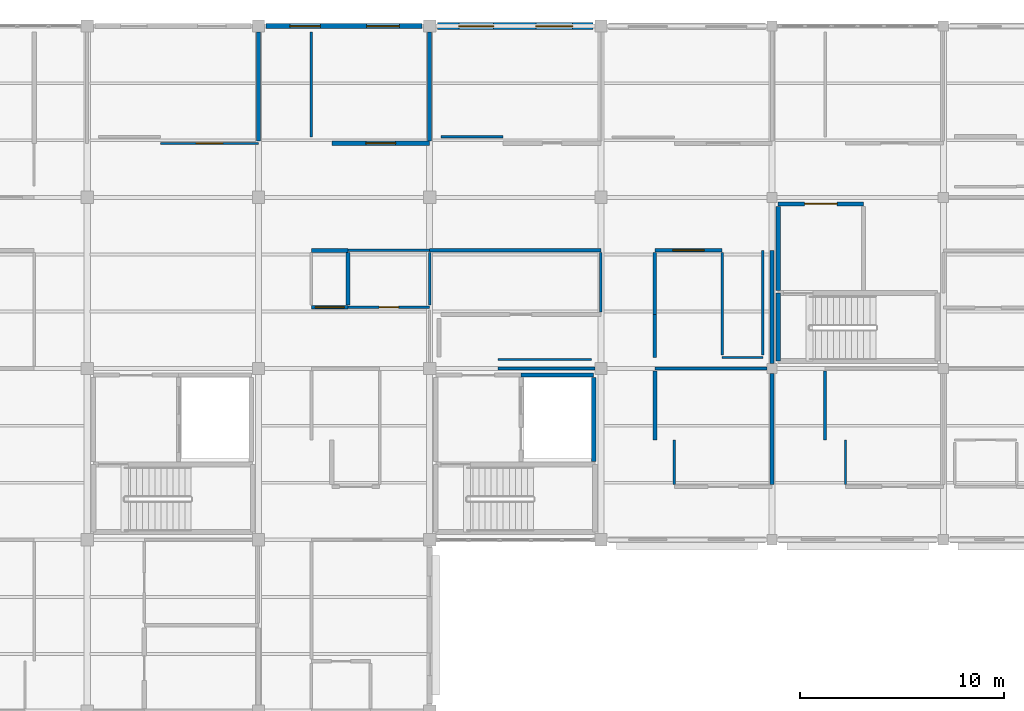
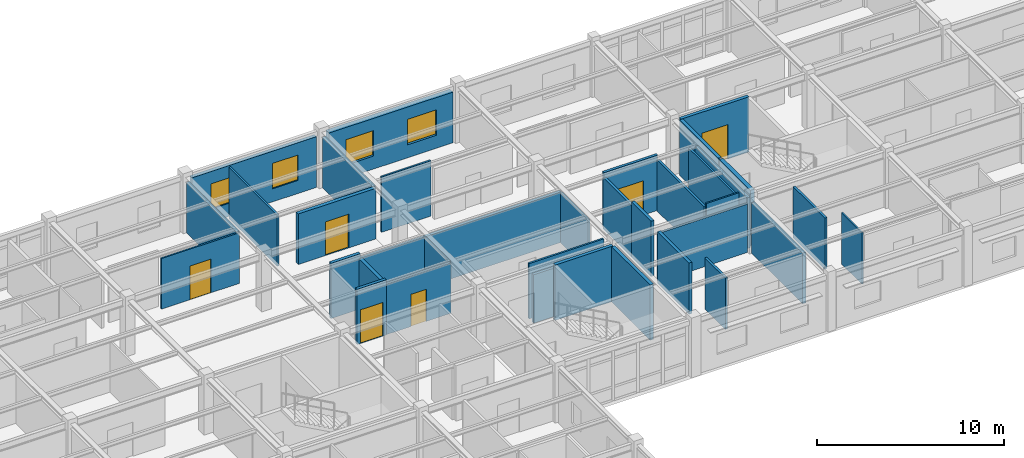
# One storey, part 57 of 70: 36 walls, 6 doors, 4 windows, 10 openings.
"""IFC4 building model written with IfcOpenShell, lengths in metres."""

import ifcopenshell
import ifcopenshell.guid

model = None  # the IFC model being written
_history = None  # IfcOwnerHistory: only IFC2X3 demands one
_inside = {}  # id of a spatial element -> (the spatial element, [elements in it])
_under = {}  # id of a project, library or spatial element -> (it, [spatial elements below it])
_declared = {}  # id of a project -> (the project, [libraries it declares])
_typed = {}  # id of a type object -> (the type object, [elements of that type])
_made_of = {}  # id of a material, layer set ... -> (it, [elements and type objects made of it])


def new_model(schema):
    """Start an empty IFC model of exactly this schema.

    Asked for "IFC4X3", IfcOpenShell would pick the latest addendum, in which some entities
    have other attributes; the version numbers below select the first issue.
    IFC2X3 requires an IfcOwnerHistory on every rooted entity: one is made here for all.
    """
    global model, _history
    if schema == "IFC4X3":
        model = ifcopenshell.file(schema_version=(4, 3, 0, 0))
    else:
        model = ifcopenshell.file(schema=schema)
    _inside.clear()
    _under.clear()
    _declared.clear()
    _typed.clear()
    _made_of.clear()
    _history = None
    if model.schema == "IFC2X3":
        org = make("IfcOrganization", Name="unknown")
        user = make(
            "IfcPersonAndOrganization",
            ThePerson=make("IfcPerson", FamilyName="unknown"),
            TheOrganization=org,
        )
        app = make(
            "IfcApplication",
            ApplicationDeveloper=org,
            Version="unknown",
            ApplicationFullName="unknown",
            ApplicationIdentifier="unknown",
        )
        _history = make(
            "IfcOwnerHistory",
            OwningUser=user,
            OwningApplication=app,
            ChangeAction="ADDED",
            CreationDate=0,
        )
    return model


def make(cls, **values):
    """One entity of the class cls with the attributes given. An attribute that is None is left unset."""
    return model.create_entity(
        cls, **{name: value for name, value in values.items() if value is not None}
    )


def rooted(cls, **values):
    """An entity with a GlobalId (a new one), such as an element, a storey or a relation."""
    return make(cls, GlobalId=ifcopenshell.guid.new(), OwnerHistory=_history, **values)


def si_unit(unit_type, name, prefix=None):
    """IfcSIUnit, for example si_unit("LENGTHUNIT", "METRE", prefix="MILLI")."""
    return make("IfcSIUnit", UnitType=unit_type, Prefix=prefix, Name=name)


def assignment(units):
    """IfcUnitAssignment: the units of a project."""
    return None if units is None else make("IfcUnitAssignment", Units=units)


def point(xyz):
    """IfcCartesianPoint."""
    return None if xyz is None else make("IfcCartesianPoint", Coordinates=xyz)


def direction(xyz):
    """IfcDirection."""
    return None if xyz is None else make("IfcDirection", DirectionRatios=xyz)


def frame(location, z_axis=None, x_axis=None):
    """IfcAxis2Placement3D, a coordinate frame: its origin and axes. An axis left out is left unset."""
    return make(
        "IfcAxis2Placement3D",
        Location=point(location),
        Axis=direction(z_axis),
        RefDirection=direction(x_axis),
    )


def frame_2d(location, x_axis=None):
    """IfcAxis2Placement2D, a coordinate frame in the plane: its origin and x axis."""
    return make(
        "IfcAxis2Placement2D", Location=point(location), RefDirection=direction(x_axis)
    )


def origin():
    """The frame at (0, 0, 0) with its axes left unset."""
    return frame((0.0, 0.0, 0.0))


def place(relative_to, where):
    """IfcLocalPlacement: puts the frame where relative to a parent placement (None: the world)."""
    return make(
        "IfcLocalPlacement", PlacementRelTo=relative_to, RelativePlacement=where
    )


def context(
    kind, dimensions, precision=None, world=None, true_north=None, identifier=None
):
    """IfcGeometricRepresentationContext, for example the 3D "Model" context."""
    return make(
        "IfcGeometricRepresentationContext",
        ContextIdentifier=identifier,
        ContextType=kind,
        CoordinateSpaceDimension=dimensions,
        Precision=precision,
        WorldCoordinateSystem=world,
        TrueNorth=true_north,
    )


def subcontext(parent, identifier, kind, view, scale=None):
    """IfcGeometricRepresentationSubContext, for example "Body" below "Model"."""
    return make(
        "IfcGeometricRepresentationSubContext",
        ContextIdentifier=identifier,
        ContextType=kind,
        ParentContext=parent,
        TargetScale=scale,
        TargetView=view,
    )


def project(units=None, contexts=None):
    """IfcProject with its units and contexts."""
    return rooted(
        "IfcProject",
        Name="project",
        RepresentationContexts=contexts,
        UnitsInContext=assignment(units),
    )


def spatial(cls, under=None, at=None, **own):
    """A site, building, storey or space (cls), placed at a placement, below another one or the project."""
    s = rooted(cls, ObjectPlacement=at, **own)
    if under is not None:
        _under.setdefault(under.id(), (under, []))[1].append(s)
    return s


def profile(cls, at=None, kind="AREA", **sizes):
    """A parametric profile (cls). Its sizes go by their IFC names, for example OverallWidth=200.0."""
    return make(cls, ProfileType=kind, Position=at, **sizes)


def rectangle(**sizes):
    """IfcRectangleProfileDef."""
    return profile("IfcRectangleProfileDef", **sizes)


def extrude(swept, where, along, depth):
    """IfcExtrudedAreaSolid: the profile swept, set in the frame where, extruded along a direction by depth."""
    return make(
        "IfcExtrudedAreaSolid",
        SweptArea=swept,
        Position=where,
        ExtrudedDirection=direction(along),
        Depth=depth,
    )


def shape(context_of_items, identifier, shape_type, items):
    """IfcShapeRepresentation: the items that make up one representation, for example the "Body"."""
    return make(
        "IfcShapeRepresentation",
        ContextOfItems=context_of_items,
        RepresentationIdentifier=identifier,
        RepresentationType=shape_type,
        Items=items,
    )


def material(Name=None, Category=None):
    """IfcMaterial."""
    return make("IfcMaterial", Name=Name, Category=Category)


def layer(
    of_material, thickness, ventilated=None, Name=None, Category=None, Priority=None
):
    """IfcMaterialLayer: one layer of a wall or slab, of a material (None: an air gap)."""
    return make(
        "IfcMaterialLayer",
        Material=of_material,
        LayerThickness=thickness,
        IsVentilated=ventilated,
        Name=Name,
        Category=Category,
        Priority=Priority,
    )


def layer_set(layers, Name=None):
    """IfcMaterialLayerSet."""
    return make("IfcMaterialLayerSet", MaterialLayers=layers, LayerSetName=Name)


def made_of(thing, what):
    """Note that an element or type object is made of a material, layer set ...; save() writes the relation."""
    if what is not None:
        _made_of.setdefault(what.id(), (what, []))[1].append(thing)
    return thing


def type_object(cls, material=None, **own):
    """A type object (cls), such as IfcWallType, which elements share."""
    return made_of(rooted(cls, **own), material)


def element(
    cls,
    number,
    at=None,
    inside=None,
    cuts=None,
    type_object=None,
    material=None,
    context=None,
    identifier="Body",
    shape_type=None,
    held_by="IfcProductDefinitionShape",
    body=None,
    shapes=None,
    **own,
):
    """One element of the class cls, such as IfcWall. Its Tag is "e" and its number.

    at: its placement. inside: the storey or other place that contains it. cuts: it is an
    opening in that element (IfcRelVoidsElement). A single representation is given by context,
    identifier, shape_type and body (its items); several are given by shapes. held_by: the class
    of the entity that holds the representations. save() writes the other relations.
    """
    e = rooted(cls, Tag="e%d" % number, ObjectPlacement=at, **own)
    if body is not None:
        shapes = [shape(context, identifier, shape_type, body)]
    if shapes is not None:
        e.Representation = make(held_by, Representations=shapes)
    if inside is not None:
        _inside.setdefault(inside.id(), (inside, []))[1].append(e)
    if cuts is not None:
        rooted(
            "IfcRelVoidsElement", RelatingBuildingElement=cuts, RelatedOpeningElement=e
        )
    if type_object is not None:
        _typed.setdefault(type_object.id(), (type_object, []))[1].append(e)
    return made_of(e, material)


def fill(opening, filler):
    """IfcRelFillsElement: the door or window that sits in an opening."""
    return rooted(
        "IfcRelFillsElement",
        RelatingOpeningElement=opening,
        RelatedBuildingElement=filler,
    )


def aggregate(whole, parts):
    """IfcRelAggregates: a whole, such as a stair, and the parts it consists of."""
    return rooted("IfcRelAggregates", RelatingObject=whole, RelatedObjects=parts)


def save(model, path):
    """Write the relations noted so far, then the file.

    IfcRelAggregates (storeys below a building ...), IfcRelContainedInSpatialStructure (elements
    in a storey), IfcRelDefinesByType, IfcRelAssociatesMaterial and IfcRelDeclares: one each for
    every whole, place, type object, material and project.
    """
    for whole, parts in _under.values():
        aggregate(whole, parts)
    for where, things in _inside.values():
        rooted(
            "IfcRelContainedInSpatialStructure",
            RelatedElements=things,
            RelatingStructure=where,
        )
    for kind, things in _typed.values():
        rooted("IfcRelDefinesByType", RelatedObjects=things, RelatingType=kind)
    for what, things in _made_of.values():
        rooted("IfcRelAssociatesMaterial", RelatedObjects=things, RelatingMaterial=what)
    for by, libraries in _declared.values():
        rooted("IfcRelDeclares", RelatingContext=by, RelatedDefinitions=libraries)
    model.write(path)


model = new_model("IFC4")

# Units and contexts
model_context = context("Model", 3, precision=1e-05, world=origin(), true_north=direction((0.0, 1.0)))
body_context = subcontext(model_context, "Body", "Model", "MODEL_VIEW")
ifc_project = project(units=[si_unit("LENGTHUNIT", "METRE"), si_unit("AREAUNIT", "SQUARE_METRE"), si_unit("VOLUMEUNIT", "CUBIC_METRE"), si_unit("PLANEANGLEUNIT", "RADIAN"), si_unit("MASSUNIT", "GRAM", prefix="KILO")], contexts=[model_context])

# Site, building, storey
site_placement = place(None, origin())
site = spatial("IfcSite", under=ifc_project, at=site_placement, CompositionType="ELEMENT")
building_placement = place(site_placement, origin())
building = spatial("IfcBuilding", under=site, at=building_placement, Name="Bramfleet General Hospital", CompositionType="ELEMENT")
storey_placement = place(building_placement, frame((0.0, 0.0, 22.5)))
storey = spatial("IfcBuildingStorey", under=building, at=storey_placement, Name="L05", CompositionType="ELEMENT", Elevation=22.5)

# Wall, openings, windows
ifc_material_1 = material(Name="Precast concrete C40/50", Category="concrete")
ifc_layer_1 = layer(ifc_material_1, 0.3349609375, Name="WT-EW-03")
ifc_layer_set_1 = layer_set([ifc_layer_1], Name="Precast concrete C40/50")
wall_type_1 = type_object("IfcWallType", Name="WT-EW-03", PredefinedType="SOLIDWALL", material=ifc_layer_set_1)
wall_1_placement = place(storey_placement, frame((117.97509765625, 117.60009765625, 0.0), z_axis=(0.0, 0.0, 1.0), x_axis=(1.0, 0.0, 0.0)))
wall_1 = element("IfcWall", 1, at=wall_1_placement, inside=storey, type_object=wall_type_1, Name="L05 Exterior Wall 351", PredefinedType="SOLIDWALL", context=body_context, shape_type="SweptSolid", body=[
    extrude(rectangle(XDim=7.64990234375, YDim=0.3349609375, at=frame_2d((3.824951171875, 0.0))), origin(), (0.0, 0.0, 1.0), 3.31005859375),
])
opening_1_placement = place(wall_1_placement, frame((1.0625, 0.0, 0.85009765625)))
opening_1 = element("IfcOpeningElement", 2, at=opening_1_placement, cuts=wall_1, Name="Opening W-37", PredefinedType="OPENING", context=body_context, shape_type="SweptSolid", body=[
    extrude(rectangle(XDim=1.699951171875, YDim=1.659912109375, at=frame_2d((0.85009765625, 0.830078125))), frame((0.0, 0.177490234375, 0.0), z_axis=(0.0, -1.0, 0.0), x_axis=(1.0, 0.0, 0.0)), (0.0, 0.0, 1.0), 0.35498046875),
])
opening_2_placement = place(wall_1_placement, frame((4.83740234375, 0.0, 0.85009765625)))
opening_2 = element("IfcOpeningElement", 3, at=opening_2_placement, cuts=wall_1, Name="Opening W-38", PredefinedType="OPENING", context=body_context, shape_type="SweptSolid", body=[
    extrude(rectangle(XDim=1.800048828125, YDim=1.659912109375, at=frame_2d((0.89990234375, 0.830078125))), frame((0.0, 0.177490234375, 0.0), z_axis=(0.0, -1.0, 0.0), x_axis=(1.0, 0.0, 0.0)), (0.0, 0.0, 1.0), 0.35498046875),
])
ifc_material_2 = material(Name="Anodised aluminium and low-E triple glazing", Category="aluminium")
window_type_1 = type_object("IfcWindowType", Name="WIN-W-37", PartitioningType="SINGLE_PANEL", PredefinedType="WINDOW", material=ifc_material_2)
window_1_placement = place(opening_1_placement, origin())
window_1 = element("IfcWindow", 4, at=window_1_placement, inside=storey, type_object=window_type_1, Name="L05 Facade Window WIN-L05-351-1", OverallHeight=1.659912109375, OverallWidth=1.699951171875, PartitioningType="SINGLE_PANEL", PredefinedType="WINDOW", context=body_context, shape_type="SweptSolid", body=[
    extrude(rectangle(XDim=1.699951171875, YDim=1.659912109375, at=frame_2d((0.85009765625, 0.830078125))), frame((0.0, 0.030029296875, 0.0), z_axis=(0.0, -1.0, 0.0), x_axis=(1.0, 0.0, 0.0)), (0.0, 0.0, 1.0), 0.06005859375),
])
fill(opening_1, window_1)
window_type_2 = type_object("IfcWindowType", Name="WIN-W-38", PartitioningType="SINGLE_PANEL", PredefinedType="WINDOW", material=ifc_material_2)
window_2_placement = place(opening_2_placement, origin())
window_2 = element("IfcWindow", 5, at=window_2_placement, inside=storey, type_object=window_type_2, Name="L05 Facade Window WIN-L05-351-2", OverallHeight=1.659912109375, OverallWidth=1.800048828125, PartitioningType="SINGLE_PANEL", PredefinedType="WINDOW", context=body_context, shape_type="SweptSolid", body=[
    extrude(rectangle(XDim=1.800048828125, YDim=1.659912109375, at=frame_2d((0.89990234375, 0.830078125))), frame((0.0, 0.030029296875, 0.0), z_axis=(0.0, -1.0, 0.0), x_axis=(1.0, 0.0, 0.0)), (0.0, 0.0, 1.0), 0.06005859375),
])
fill(opening_2, window_2)

ifc_layer_2 = layer(ifc_material_1, 0.235107421875, Name="WT-EW-09")
ifc_layer_set_2 = layer_set([ifc_layer_2], Name="Precast concrete C40/50")
wall_type_2 = type_object("IfcWallType", Name="WT-EW-09", PredefinedType="SOLIDWALL", material=ifc_layer_set_2)
wall_2_placement = place(storey_placement, frame((109.574951171875, 117.60009765625, 0.0), z_axis=(0.0, 0.0, 1.0), x_axis=(1.0, 0.0, 0.0)))
wall_2 = element("IfcWall", 6, at=wall_2_placement, inside=storey, type_object=wall_type_2, Name="L05 Exterior Wall 350", PredefinedType="SOLIDWALL", context=body_context, shape_type="SweptSolid", body=[
    extrude(rectangle(XDim=7.650146484375, YDim=0.235107421875, at=frame_2d((3.8251953125, 0.0))), origin(), (0.0, 0.0, 1.0), 3.31005859375),
])
opening_3_placement = place(wall_2_placement, frame((1.16259765625, 0.0, 0.85009765625)))
opening_3 = element("IfcOpeningElement", 7, at=opening_3_placement, cuts=wall_2, Name="Opening W-35", PredefinedType="OPENING", context=body_context, shape_type="SweptSolid", body=[
    extrude(rectangle(XDim=1.5, YDim=1.659912109375, at=frame_2d((0.75, 0.830078125))), frame((0.0, 0.12744140625, 0.0), z_axis=(0.0, -1.0, 0.0), x_axis=(1.0, 0.0, 0.0)), (0.0, 0.0, 1.0), 0.255126953125),
])
opening_4_placement = place(wall_2_placement, frame((4.9375, 0.0, 0.85009765625)))
opening_4 = element("IfcOpeningElement", 8, at=opening_4_placement, cuts=wall_2, Name="Opening W-36", PredefinedType="OPENING", context=body_context, shape_type="SweptSolid", body=[
    extrude(rectangle(XDim=1.60009765625, YDim=1.659912109375, at=frame_2d((0.800048828125, 0.830078125))), frame((0.0, 0.12744140625, 0.0), z_axis=(0.0, -1.0, 0.0), x_axis=(1.0, 0.0, 0.0)), (0.0, 0.0, 1.0), 0.255126953125),
])
window_type_3 = type_object("IfcWindowType", Name="WIN-W-35", PartitioningType="SINGLE_PANEL", PredefinedType="WINDOW", material=ifc_material_2)
window_3_placement = place(opening_3_placement, origin())
window_3 = element("IfcWindow", 9, at=window_3_placement, inside=storey, type_object=window_type_3, Name="L05 Facade Window WIN-L05-350-1", OverallHeight=1.659912109375, OverallWidth=1.5, PartitioningType="SINGLE_PANEL", PredefinedType="WINDOW", context=body_context, shape_type="SweptSolid", body=[
    extrude(rectangle(XDim=1.5, YDim=1.659912109375, at=frame_2d((0.75, 0.830078125))), frame((0.0, 0.030029296875, 0.0), z_axis=(0.0, -1.0, 0.0), x_axis=(1.0, 0.0, 0.0)), (0.0, 0.0, 1.0), 0.06005859375),
])
fill(opening_3, window_3)
window_type_4 = type_object("IfcWindowType", Name="WIN-W-36", PartitioningType="SINGLE_PANEL", PredefinedType="WINDOW", material=ifc_material_2)
window_4_placement = place(opening_4_placement, origin())
window_4 = element("IfcWindow", 10, at=window_4_placement, inside=storey, type_object=window_type_4, Name="L05 Facade Window WIN-L05-350-2", OverallHeight=1.659912109375, OverallWidth=1.60009765625, PartitioningType="SINGLE_PANEL", PredefinedType="WINDOW", context=body_context, shape_type="SweptSolid", body=[
    extrude(rectangle(XDim=1.60009765625, YDim=1.659912109375, at=frame_2d((0.800048828125, 0.830078125))), frame((0.0, 0.030029296875, 0.0), z_axis=(0.0, -1.0, 0.0), x_axis=(1.0, 0.0, 0.0)), (0.0, 0.0, 1.0), 0.06005859375),
])
fill(opening_4, window_4)

# Wall, opening, door
ifc_material_3 = material(Name="Concrete C35/45", Category="concrete")
ifc_layer_3 = layer(ifc_material_3, 0.219970703125, Name="WT-IW-01")
ifc_layer_set_3 = layer_set([ifc_layer_3], Name="Concrete C35/45")
wall_type_3 = type_object("IfcWallType", Name="WT-IW-01", PredefinedType="PARTITIONING", material=ifc_layer_set_3)
wall_3_placement = place(storey_placement, frame((112.800048828125, 111.85009765625, 0.0), z_axis=(0.0, 0.0, 1.0), x_axis=(1.0, 0.0, 0.0)))
wall_3 = element("IfcWall", 11, at=wall_3_placement, inside=storey, type_object=wall_type_3, Name="L05 Interior Partition IW-L05-3649", PredefinedType="PARTITIONING", context=body_context, shape_type="SweptSolid", body=[
    extrude(rectangle(XDim=4.800048828125, YDim=0.219970703125, at=frame_2d((2.39990234375, 0.0))), origin(), (0.0, 0.0, 1.0), 3.300048828125),
])
opening_5_placement = place(wall_3_placement, frame((1.675048828125, 0.0, 0.0)))
opening_5 = element("IfcOpeningElement", 12, at=opening_5_placement, cuts=wall_3, Name="Opening D1411", PredefinedType="OPENING", context=body_context, shape_type="SweptSolid", body=[
    extrude(rectangle(XDim=1.449951171875, YDim=2.199951171875, at=frame_2d((0.72509765625, 1.10009765625))), frame((0.0, 0.119873046875, 0.0), z_axis=(0.0, -1.0, 0.0), x_axis=(1.0, 0.0, 0.0)), (0.0, 0.0, 1.0), 0.239990234375),
])
ifc_material_4 = material(Name="Stainless steel and acoustic timber leaf", Category="steel")
door_type_1 = type_object("IfcDoorType", Name="DR-D-03", OperationType="NOTDEFINED", PredefinedType="DOOR", material=ifc_material_4)
door_1_placement = place(opening_5_placement, origin())
door_1 = element("IfcDoor", 13, at=door_1_placement, inside=storey, type_object=door_type_1, Name="Medical and Cardiology Ward Bedroom L05-1313 Door D1411", OperationType="SINGLE_SWING_RIGHT", OverallHeight=2.199951171875, OverallWidth=1.449951171875, PredefinedType="DOOR", context=body_context, shape_type="SweptSolid", body=[
    extrude(rectangle(XDim=1.449951171875, YDim=2.199951171875, at=frame_2d((0.72509765625, 1.10009765625))), frame((0.0, 0.02490234375, 0.0), z_axis=(0.0, -1.0, 0.0), x_axis=(1.0, 0.0, 0.0)), (0.0, 0.0, 1.0), 0.050048828125),
])
fill(opening_5, door_1)

# Walls
ifc_layer_4 = layer(ifc_material_3, 0.205078125, Name="WT-IW-02")
ifc_layer_set_4 = layer_set([ifc_layer_4], Name="Concrete C35/45")
wall_type_4 = type_object("IfcWallType", Name="WT-IW-02", PredefinedType="PARTITIONING", material=ifc_layer_set_4)
wall_4_placement = place(storey_placement, frame((125.64990234375, 96.239990234375, 0.0), z_axis=(0.0, 0.0, 1.0), x_axis=(0.0, 1.0, 0.0)))
element("IfcWall", 14, at=wall_4_placement, inside=storey, type_object=wall_type_4, Name="L05 C6 Lift Shaft East Wall", PredefinedType="PARTITIONING", context=body_context, shape_type="SweptSolid", body=[
    extrude(rectangle(XDim=4.1201171875, YDim=0.205078125, at=frame_2d((2.06005859375, 0.0))), origin(), (0.0, 0.0, 1.0), 3.610107421875),
])
wall_5_placement = place(storey_placement, frame((122.080078125, 100.47998046875, 0.0), z_axis=(0.0, 0.0, 1.0), x_axis=(1.0, 0.0, 0.0)))
element("IfcWall", 15, at=wall_5_placement, inside=storey, type_object=wall_type_4, Name="L05 C6 Lift Shaft North Wall", PredefinedType="PARTITIONING", context=body_context, shape_type="SweptSolid", body=[
    extrude(rectangle(XDim=3.56982421875, YDim=0.205078125, at=frame_2d((1.784912109375, 0.0))), origin(), (0.0, 0.0, 1.0), 3.610107421875),
])
wall_6_placement = place(storey_placement, frame((134.699951171875, 104.639892578125, 0.0), z_axis=(0.0, 0.0, 1.0), x_axis=(0.0, 1.0, 0.0)))
element("IfcWall", 16, at=wall_6_placement, inside=storey, type_object=wall_type_4, Name="L05 C9 Lobby West Compartment Wall", PredefinedType="PARTITIONING", context=body_context, shape_type="SweptSolid", body=[
    extrude(rectangle(XDim=4.1201171875, YDim=0.205078125, at=frame_2d((2.06005859375, 0.0))), origin(), (0.0, 0.0, 1.0), 3.610107421875),
])

# Wall, opening, door
wall_7_placement = place(storey_placement, frame((134.699951171875, 108.8798828125, 0.0), z_axis=(0.0, 0.0, 1.0), x_axis=(1.0, 0.0, 0.0)))
wall_7 = element("IfcWall", 17, at=wall_7_placement, inside=storey, type_object=wall_type_4, Name="L05 C9 Lobby North Compartment Wall", PredefinedType="PARTITIONING", context=body_context, shape_type="SweptSolid", body=[
    extrude(rectangle(XDim=4.179931640625, YDim=0.205078125, at=frame_2d((2.08984375, 0.0))), origin(), (0.0, 0.0, 1.0), 3.610107421875),
])
opening_6_placement = place(wall_7_placement, frame((1.2900390625, 0.0, 0.0)))
opening_6 = element("IfcOpeningElement", 18, at=opening_6_placement, cuts=wall_7, Name="Opening D0120", PredefinedType="OPENING", context=body_context, shape_type="SweptSolid", body=[
    extrude(rectangle(XDim=1.60009765625, YDim=2.25, at=frame_2d((0.800048828125, 1.125))), frame((0.0, 0.112548828125, 0.0), z_axis=(0.0, -1.0, 0.0), x_axis=(1.0, 0.0, 0.0)), (0.0, 0.0, 1.0), 0.22509765625),
])
door_type_2 = type_object("IfcDoorType", Name="DR-D-04", OperationType="NOTDEFINED", PredefinedType="DOOR", material=ifc_material_4)
door_2_placement = place(opening_6_placement, origin())
door_2 = element("IfcDoor", 19, at=door_2_placement, inside=storey, type_object=door_type_2, Name="L05 C9 Lobby Fire Door D0120", OperationType="DOUBLE_SWING_LEFT", OverallHeight=2.25, OverallWidth=1.60009765625, PredefinedType="DOOR", context=body_context, shape_type="SweptSolid", body=[
    extrude(rectangle(XDim=1.60009765625, YDim=2.25, at=frame_2d((0.800048828125, 1.125))), frame((0.0, 0.02490234375, 0.0), z_axis=(0.0, -1.0, 0.0), x_axis=(1.0, 0.0, 0.0)), (0.0, 0.0, 1.0), 0.050048828125),
])
fill(opening_6, door_2)

# Walls
wall_8_placement = place(storey_placement, frame((113.60009765625, 103.9150390625, 0.0), z_axis=(0.0, 0.0, 1.0), x_axis=(0.0, 1.0, 0.0)))
element("IfcWall", 20, at=wall_8_placement, inside=storey, type_object=wall_type_4, Name="L05 Interior Partition IW-L05-3770", PredefinedType="PARTITIONING", context=body_context, shape_type="SweptSolid", body=[
    extrude(rectangle(XDim=2.570068359375, YDim=0.205078125, at=frame_2d((1.28515625, 0.0))), origin(), (0.0, 0.0, 1.0), 3.340087890625),
])
wall_9_placement = place(storey_placement, frame((117.60009765625, 111.965087890625, 0.0), z_axis=(0.0, 0.0, 1.0), x_axis=(0.0, 1.0, 0.0)))
element("IfcWall", 21, at=wall_9_placement, inside=storey, type_object=wall_type_4, Name="L05 Interior Partition IW-L05-3782", PredefinedType="PARTITIONING", context=body_context, shape_type="SweptSolid", body=[
    extrude(rectangle(XDim=5.33984375, YDim=0.205078125, at=frame_2d((2.669921875, 0.0))), origin(), (0.0, 0.0, 1.0), 3.300048828125),
])
wall_10_placement = place(storey_placement, frame((134.39990234375, 95.114990234375, 0.0), z_axis=(0.0, 0.0, 1.0), x_axis=(0.0, 1.0, 0.0)))
element("IfcWall", 22, at=wall_10_placement, inside=storey, type_object=wall_type_4, Name="L05 Interior Partition IW-L05-3806", PredefinedType="PARTITIONING", context=body_context, shape_type="SweptSolid", body=[
    extrude(rectangle(XDim=5.43994140625, YDim=0.205078125, at=frame_2d((2.719970703125, 0.0))), origin(), (0.0, 0.0, 1.0), 3.300048828125),
])
ifc_layer_5 = layer(ifc_material_3, 0.18994140625, Name="WT-IW-03")
ifc_layer_set_5 = layer_set([ifc_layer_5], Name="Concrete C35/45")
wall_type_5 = type_object("IfcWallType", Name="WT-IW-03", PredefinedType="PARTITIONING", material=ifc_layer_set_5)
wall_11_placement = place(storey_placement, frame((111.800048828125, 106.60009765625, 0.0), z_axis=(0.0, 0.0, 1.0), x_axis=(1.0, 0.0, 0.0)))
element("IfcWall", 23, at=wall_11_placement, inside=storey, type_object=wall_type_5, Name="L05 Interior Partition IW-L05-3627", PredefinedType="PARTITIONING", context=body_context, shape_type="SweptSolid", body=[
    extrude(rectangle(XDim=1.800048828125, YDim=0.18994140625, at=frame_2d((0.89990234375, 0.0))), origin(), (0.0, 0.0, 1.0), 3.610107421875),
])
wall_12_placement = place(storey_placement, frame((109.199951171875, 111.965087890625, 0.0), z_axis=(0.0, 0.0, 1.0), x_axis=(0.0, 1.0, 0.0)))
element("IfcWall", 24, at=wall_12_placement, inside=storey, type_object=wall_type_5, Name="L05 Interior Partition IW-L05-3747", PredefinedType="PARTITIONING", context=body_context, shape_type="SweptSolid", body=[
    extrude(rectangle(XDim=5.33984375, YDim=0.18994140625, at=frame_2d((2.669921875, 0.0))), origin(), (0.0, 0.0, 1.0), 3.300048828125),
])
wall_13_placement = place(storey_placement, frame((128.64990234375, 97.300048828125, 0.0), z_axis=(0.0, 0.0, 1.0), x_axis=(0.0, 1.0, 0.0)))
element("IfcWall", 25, at=wall_13_placement, inside=storey, type_object=wall_type_5, Name="L05 Interior Partition IW-L05-3795", PredefinedType="PARTITIONING", context=body_context, shape_type="SweptSolid", body=[
    extrude(rectangle(XDim=3.385009765625, YDim=0.18994140625, at=frame_2d((1.6923828125, 0.0))), origin(), (0.0, 0.0, 1.0), 3.340087890625),
])
wall_14_placement = place(storey_placement, frame((134.39990234375, 101.044921875, 0.0), z_axis=(0.0, 0.0, 1.0), x_axis=(0.0, 1.0, 0.0)))
element("IfcWall", 26, at=wall_14_placement, inside=storey, type_object=wall_type_5, Name="L05 Interior Partition IW-L05-3807", PredefinedType="PARTITIONING", context=body_context, shape_type="SweptSolid", body=[
    extrude(rectangle(XDim=5.55517578125, YDim=0.18994140625, at=frame_2d((2.777587890625, 0.0))), origin(), (0.0, 0.0, 1.0), 3.300048828125),
])
ifc_layer_6 = layer(ifc_material_3, 0.179931640625, Name="WT-IW-04")
ifc_layer_set_6 = layer_set([ifc_layer_6], Name="Concrete C35/45")
wall_type_6 = type_object("IfcWallType", Name="WT-IW-04", PredefinedType="PARTITIONING", material=ifc_layer_set_6)
wall_15_placement = place(storey_placement, frame((128.64990234375, 101.35009765625, 0.0), z_axis=(0.0, 0.0, 1.0), x_axis=(0.0, 1.0, 0.0)))
element("IfcWall", 27, at=wall_15_placement, inside=storey, type_object=wall_type_6, Name="L05 Interior Partition IW-L05-3796", PredefinedType="PARTITIONING", context=body_context, shape_type="SweptSolid", body=[
    extrude(rectangle(XDim=2.099853515625, YDim=0.179931640625, at=frame_2d((1.0498046875, 0.0))), origin(), (0.0, 0.0, 1.0), 3.610107421875),
])

# Wall, opening, door
ifc_material_5 = material(Name="Gypsum plasterboard on acoustic steel studs", Category="steel")
ifc_layer_7 = layer(ifc_material_5, 0.169921875, Name="WT-IW-05")
ifc_layer_set_7 = layer_set([ifc_layer_7], Name="Gypsum plasterboard on acoustic steel studs")
wall_type_7 = type_object("IfcWallType", Name="WT-IW-05", PredefinedType="PARTITIONING", material=ifc_layer_set_7)
wall_16_placement = place(storey_placement, frame((111.800048828125, 103.800048828125, 0.0), z_axis=(0.0, 0.0, 1.0), x_axis=(1.0, 0.0, 0.0)))
wall_16 = element("IfcWall", 28, at=wall_16_placement, inside=storey, type_object=wall_type_7, Name="L05 Interior Partition IW-L05-3617", PredefinedType="PARTITIONING", context=body_context, shape_type="SweptSolid", body=[
    extrude(rectangle(XDim=1.800048828125, YDim=0.169921875, at=frame_2d((0.89990234375, 0.0))), origin(), (0.0, 0.0, 1.0), 3.610107421875),
])
opening_7_placement = place(wall_16_placement, frame((0.199951171875, 0.0, 0.0)))
opening_7 = element("IfcOpeningElement", 29, at=opening_7_placement, cuts=wall_16, Name="Opening D1409", PredefinedType="OPENING", context=body_context, shape_type="SweptSolid", body=[
    extrude(rectangle(XDim=1.39990234375, YDim=2.199951171875, at=frame_2d((0.699951171875, 1.10009765625))), frame((0.0, 0.094970703125, 0.0), z_axis=(0.0, -1.0, 0.0), x_axis=(1.0, 0.0, 0.0)), (0.0, 0.0, 1.0), 0.18994140625),
])
door_type_3 = type_object("IfcDoorType", Name="DR-D-01", OperationType="NOTDEFINED", PredefinedType="DOOR", material=ifc_material_4)
door_3_placement = place(opening_7_placement, origin())
door_3 = element("IfcDoor", 30, at=door_3_placement, inside=storey, type_object=door_type_3, Name="Clean Medication and Treatment Room L05-1312 Door D1409", OperationType="SINGLE_SWING_RIGHT", OverallHeight=2.199951171875, OverallWidth=1.39990234375, PredefinedType="DOOR", context=body_context, shape_type="SweptSolid", body=[
    extrude(rectangle(XDim=1.39990234375, YDim=2.199951171875, at=frame_2d((0.699951171875, 1.10009765625))), frame((0.0, 0.02490234375, 0.0), z_axis=(0.0, -1.0, 0.0), x_axis=(1.0, 0.0, 0.0)), (0.0, 0.0, 1.0), 0.050048828125),
])
fill(opening_7, door_3)

# Walls
wall_17_placement = place(storey_placement, frame((117.60009765625, 106.60009765625, 0.0), z_axis=(0.0, 0.0, 1.0), x_axis=(1.0, 0.0, 0.0)))
element("IfcWall", 31, at=wall_17_placement, inside=storey, type_object=wall_type_7, Name="L05 Interior Partition IW-L05-3629", PredefinedType="PARTITIONING", context=body_context, shape_type="SweptSolid", body=[
    extrude(rectangle(XDim=8.39990234375, YDim=0.169921875, at=frame_2d((4.199951171875, 0.0))), origin(), (0.0, 0.0, 1.0), 3.300048828125),
])
wall_18_placement = place(storey_placement, frame((128.64990234375, 103.449951171875, 0.0), z_axis=(0.0, 0.0, 1.0), x_axis=(0.0, 1.0, 0.0)))
element("IfcWall", 32, at=wall_18_placement, inside=storey, type_object=wall_type_7, Name="L05 Interior Partition IW-L05-3797", PredefinedType="PARTITIONING", context=body_context, shape_type="SweptSolid", body=[
    extrude(rectangle(XDim=3.03515625, YDim=0.169921875, at=frame_2d((1.517578125, 0.0))), origin(), (0.0, 0.0, 1.0), 3.340087890625),
])
ifc_layer_8 = layer(ifc_material_5, 0.159912109375, Name="WT-IW-06")
ifc_layer_set_8 = layer_set([ifc_layer_8], Name="Gypsum plasterboard on acoustic steel studs")
wall_type_8 = type_object("IfcWallType", Name="WT-IW-06", PredefinedType="PARTITIONING", material=ifc_layer_set_8)
wall_19_placement = place(storey_placement, frame((120.949951171875, 100.800048828125, 0.0), z_axis=(0.0, 0.0, 1.0), x_axis=(1.0, 0.0, 0.0)))
element("IfcWall", 33, at=wall_19_placement, inside=storey, type_object=wall_type_8, Name="L05 Interior Partition IW-L05-3606", PredefinedType="PARTITIONING", context=body_context, shape_type="SweptSolid", body=[
    extrude(rectangle(XDim=4.755126953125, YDim=0.159912109375, at=frame_2d((2.37744140625, 0.0))), origin(), (0.0, 0.0, 1.0), 3.159912109375),
])

# Wall, opening, door
wall_20_placement = place(storey_placement, frame((128.64990234375, 106.60009765625, 0.0), z_axis=(0.0, 0.0, 1.0), x_axis=(1.0, 0.0, 0.0)))
wall_20 = element("IfcWall", 34, at=wall_20_placement, inside=storey, type_object=wall_type_8, Name="L05 Interior Partition IW-L05-3630", PredefinedType="PARTITIONING", context=body_context, shape_type="SweptSolid", body=[
    extrude(rectangle(XDim=3.300048828125, YDim=0.159912109375, at=frame_2d((1.64990234375, 0.0))), origin(), (0.0, 0.0, 1.0), 3.610107421875),
])
opening_8_placement = place(wall_20_placement, frame((0.8798828125, 0.0, 0.0)))
opening_8 = element("IfcOpeningElement", 35, at=opening_8_placement, cuts=wall_20, Name="Opening D1425", PredefinedType="OPENING", context=body_context, shape_type="SweptSolid", body=[
    extrude(rectangle(XDim=1.5400390625, YDim=2.239990234375, at=frame_2d((0.77001953125, 1.1201171875))), frame((0.0, 0.08984375, 0.0), z_axis=(0.0, -1.0, 0.0), x_axis=(1.0, 0.0, 0.0)), (0.0, 0.0, 1.0), 0.179931640625),
])
door_type_4 = type_object("IfcDoorType", Name="DR-D-17", OperationType="NOTDEFINED", PredefinedType="DOOR", material=ifc_material_4)
door_4_placement = place(opening_8_placement, origin())
door_4 = element("IfcDoor", 36, at=door_4_placement, inside=storey, type_object=door_type_4, Name="Ward Linen and Clean Utility L05-1512 Door D1425", OperationType="SINGLE_SWING_RIGHT", OverallHeight=2.239990234375, OverallWidth=1.5400390625, PredefinedType="DOOR", context=body_context, shape_type="SweptSolid", body=[
    extrude(rectangle(XDim=1.5400390625, YDim=2.239990234375, at=frame_2d((0.77001953125, 1.1201171875))), frame((0.0, 0.02490234375, 0.0), z_axis=(0.0, -1.0, 0.0), x_axis=(1.0, 0.0, 0.0)), (0.0, 0.0, 1.0), 0.050048828125),
])
fill(opening_8, door_4)

# Walls
ifc_layer_9 = layer(ifc_material_5, 0.14990234375, Name="WT-IW-07")
ifc_layer_set_9 = layer_set([ifc_layer_9], Name="Gypsum plasterboard on acoustic steel studs")
wall_type_9 = type_object("IfcWallType", Name="WT-IW-07", PredefinedType="PARTITIONING", material=ifc_layer_set_9)
wall_21_placement = place(storey_placement, frame((128.64990234375, 100.800048828125, 0.0), z_axis=(0.0, 0.0, 1.0), x_axis=(1.0, 0.0, 0.0)))
element("IfcWall", 37, at=wall_21_placement, inside=storey, type_object=wall_type_9, Name="L05 Interior Partition IW-L05-3607", PredefinedType="PARTITIONING", context=body_context, shape_type="SweptSolid", body=[
    extrude(rectangle(XDim=5.505126953125, YDim=0.14990234375, at=frame_2d((2.75244140625, 0.0))), origin(), (0.0, 0.0, 1.0), 3.159912109375),
])
ifc_layer_10 = layer(ifc_material_5, 0.139892578125, Name="WT-IW-08")
ifc_layer_set_10 = layer_set([ifc_layer_10], Name="Gypsum plasterboard on acoustic steel studs")
wall_type_10 = type_object("IfcWallType", Name="WT-IW-08", PredefinedType="PARTITIONING", material=ifc_layer_set_10)
wall_22_placement = place(storey_placement, frame((129.60009765625, 95.114990234375, 0.0), z_axis=(0.0, 0.0, 1.0), x_axis=(0.0, 1.0, 0.0)))
element("IfcWall", 38, at=wall_22_placement, inside=storey, type_object=wall_type_10, Name="L05 Interior Partition IW-L05-3800", PredefinedType="PARTITIONING", context=body_context, shape_type="SweptSolid", body=[
    extrude(rectangle(XDim=2.18505859375, YDim=0.139892578125, at=frame_2d((1.092529296875, 0.0))), origin(), (0.0, 0.0, 1.0), 3.340087890625),
])
wall_23_placement = place(storey_placement, frame((137.0, 97.300048828125, 0.0), z_axis=(0.0, 0.0, 1.0), x_axis=(0.0, 1.0, 0.0)))
element("IfcWall", 39, at=wall_23_placement, inside=storey, type_object=wall_type_10, Name="L05 Interior Partition IW-L05-3812", PredefinedType="PARTITIONING", context=body_context, shape_type="SweptSolid", body=[
    extrude(rectangle(XDim=3.385009765625, YDim=0.139892578125, at=frame_2d((1.6923828125, 0.0))), origin(), (0.0, 0.0, 1.0), 3.340087890625),
])
ifc_layer_11 = layer(ifc_material_5, 0.1298828125, Name="WT-IW-09")
ifc_layer_set_11 = layer_set([ifc_layer_11], Name="Gypsum plasterboard on acoustic steel studs")
wall_type_11 = type_object("IfcWallType", Name="WT-IW-09", PredefinedType="PARTITIONING", material=ifc_layer_set_11)
wall_24_placement = place(storey_placement, frame((131.949951171875, 101.465087890625, 0.0), z_axis=(0.0, 0.0, 1.0), x_axis=(0.0, 1.0, 0.0)))
element("IfcWall", 40, at=wall_24_placement, inside=storey, type_object=wall_type_11, Name="L05 Interior Partition IW-L05-3801", PredefinedType="PARTITIONING", context=body_context, shape_type="SweptSolid", body=[
    extrude(rectangle(XDim=5.02001953125, YDim=0.1298828125, at=frame_2d((2.510009765625, 0.0))), origin(), (0.0, 0.0, 1.0), 3.340087890625),
])

# Wall, opening, door
ifc_layer_12 = layer(ifc_material_5, 0.1201171875, Name="WT-IW-10")
ifc_layer_set_12 = layer_set([ifc_layer_12], Name="Gypsum plasterboard on acoustic steel studs")
wall_type_12 = type_object("IfcWallType", Name="WT-IW-10", PredefinedType="PARTITIONING", material=ifc_layer_set_12)
wall_25_placement = place(storey_placement, frame((113.60009765625, 103.800048828125, 0.0), z_axis=(0.0, 0.0, 1.0), x_axis=(1.0, 0.0, 0.0)))
wall_25 = element("IfcWall", 41, at=wall_25_placement, inside=storey, type_object=wall_type_12, Name="L05 Interior Partition IW-L05-3618", PredefinedType="PARTITIONING", context=body_context, shape_type="SweptSolid", body=[
    extrude(rectangle(XDim=4.0, YDim=0.1201171875, at=frame_2d((2.0, 0.0))), origin(), (0.0, 0.0, 1.0), 3.300048828125),
])
opening_9_placement = place(wall_25_placement, frame((1.52490234375, 0.0, 0.0)))
opening_9 = element("IfcOpeningElement", 42, at=opening_9_placement, cuts=wall_25, Name="Opening D1410", PredefinedType="OPENING", context=body_context, shape_type="SweptSolid", body=[
    extrude(rectangle(XDim=0.949951171875, YDim=2.10009765625, at=frame_2d((0.47509765625, 1.050048828125))), frame((0.0, 0.070068359375, 0.0), z_axis=(0.0, -1.0, 0.0), x_axis=(1.0, 0.0, 0.0)), (0.0, 0.0, 1.0), 0.14013671875),
])
door_type_5 = type_object("IfcDoorType", Name="DR-D-10", OperationType="NOTDEFINED", PredefinedType="DOOR", material=ifc_material_4)
door_5_placement = place(opening_9_placement, origin())
door_5 = element("IfcDoor", 43, at=door_5_placement, inside=storey, type_object=door_type_5, Name="L05 Accessible and Staff WC 1312 Door D1410", OperationType="SINGLE_SWING_LEFT", OverallHeight=2.10009765625, OverallWidth=0.949951171875, PredefinedType="DOOR", context=body_context, shape_type="SweptSolid", body=[
    extrude(rectangle(XDim=0.949951171875, YDim=2.10009765625, at=frame_2d((0.47509765625, 1.050048828125))), frame((0.0, 0.02490234375, 0.0), z_axis=(0.0, -1.0, 0.0), x_axis=(1.0, 0.0, 0.0)), (0.0, 0.0, 1.0), 0.050048828125),
])
fill(opening_9, door_5)

# Walls
wall_26_placement = place(storey_placement, frame((113.60009765625, 106.60009765625, 0.0), z_axis=(0.0, 0.0, 1.0), x_axis=(1.0, 0.0, 0.0)))
element("IfcWall", 44, at=wall_26_placement, inside=storey, type_object=wall_type_12, Name="L05 Interior Partition IW-L05-3628", PredefinedType="PARTITIONING", context=body_context, shape_type="SweptSolid", body=[
    extrude(rectangle(XDim=4.0, YDim=0.1201171875, at=frame_2d((2.0, 0.0))), origin(), (0.0, 0.0, 1.0), 3.300048828125),
])
wall_27_placement = place(storey_placement, frame((111.800048828125, 112.169921875, 0.0), z_axis=(0.0, 0.0, 1.0), x_axis=(0.0, 1.0, 0.0)))
element("IfcWall", 45, at=wall_27_placement, inside=storey, type_object=wall_type_12, Name="L05 Interior Partition IW-L05-3766", PredefinedType="PARTITIONING", context=body_context, shape_type="SweptSolid", body=[
    extrude(rectangle(XDim=5.150146484375, YDim=0.1201171875, at=frame_2d((2.5751953125, 0.0))), origin(), (0.0, 0.0, 1.0), 3.340087890625),
])
wall_28_placement = place(storey_placement, frame((117.60009765625, 103.9150390625, 0.0), z_axis=(0.0, 0.0, 1.0), x_axis=(0.0, 1.0, 0.0)))
element("IfcWall", 46, at=wall_28_placement, inside=storey, type_object=wall_type_12, Name="L05 Interior Partition IW-L05-3781", PredefinedType="PARTITIONING", context=body_context, shape_type="SweptSolid", body=[
    extrude(rectangle(XDim=2.570068359375, YDim=0.1201171875, at=frame_2d((1.28515625, 0.0))), origin(), (0.0, 0.0, 1.0), 3.300048828125),
])
wall_29_placement = place(storey_placement, frame((133.949951171875, 101.465087890625, 0.0), z_axis=(0.0, 0.0, 1.0), x_axis=(0.0, 1.0, 0.0)))
element("IfcWall", 47, at=wall_29_placement, inside=storey, type_object=wall_type_12, Name="L05 Interior Partition IW-L05-3802", PredefinedType="PARTITIONING", context=body_context, shape_type="SweptSolid", body=[
    extrude(rectangle(XDim=5.135009765625, YDim=0.1201171875, at=frame_2d((2.5673828125, 0.0))), origin(), (0.0, 0.0, 1.0), 3.340087890625),
])
ifc_layer_13 = layer(ifc_material_5, 0.112060546875, Name="WT-IW-11")
ifc_layer_set_13 = layer_set([ifc_layer_13], Name="Gypsum plasterboard on acoustic steel studs")
wall_type_13 = type_object("IfcWallType", Name="WT-IW-11", PredefinedType="PARTITIONING", material=ifc_layer_set_13)
wall_30_placement = place(storey_placement, frame((120.949951171875, 101.25, 0.0), z_axis=(0.0, 0.0, 1.0), x_axis=(1.0, 0.0, 0.0)))
element("IfcWall", 48, at=wall_30_placement, inside=storey, type_object=wall_type_13, Name="L05 Interior Partition IW-L05-3611", PredefinedType="PARTITIONING", context=body_context, shape_type="SweptSolid", body=[
    extrude(rectangle(XDim=4.60009765625, YDim=0.112060546875, at=frame_2d((2.300048828125, 0.0))), origin(), (0.0, 0.0, 1.0), 3.610107421875),
])
wall_31_placement = place(storey_placement, frame((118.14990234375, 112.169921875, 0.0), z_axis=(0.0, 0.0, 1.0), x_axis=(1.0, 0.0, 0.0)))
element("IfcWall", 49, at=wall_31_placement, inside=storey, type_object=wall_type_13, Name="L05 Interior Partition IW-L05-3659", PredefinedType="PARTITIONING", context=body_context, shape_type="SweptSolid", body=[
    extrude(rectangle(XDim=3.050048828125, YDim=0.112060546875, at=frame_2d((1.52490234375, 0.0))), origin(), (0.0, 0.0, 1.0), 3.610107421875),
])
wall_32_placement = place(storey_placement, frame((126.0, 103.56494140625, 0.0), z_axis=(0.0, 0.0, 1.0), x_axis=(0.0, 1.0, 0.0)))
element("IfcWall", 50, at=wall_32_placement, inside=storey, type_object=wall_type_13, Name="L05 Interior Partition IW-L05-3791", PredefinedType="PARTITIONING", context=body_context, shape_type="SweptSolid", body=[
    extrude(rectangle(XDim=2.920166015625, YDim=0.112060546875, at=frame_2d((1.4599609375, 0.0))), origin(), (0.0, 0.0, 1.0), 3.300048828125),
])
ifc_layer_14 = layer(ifc_material_5, 0.10009765625, Name="WT-IW-12")
ifc_layer_set_14 = layer_set([ifc_layer_14], Name="Gypsum plasterboard on acoustic steel studs")
wall_type_14 = type_object("IfcWallType", Name="WT-IW-12", PredefinedType="PARTITIONING", material=ifc_layer_set_14)
wall_33_placement = place(storey_placement, frame((131.949951171875, 101.35009765625, 0.0), z_axis=(0.0, 0.0, 1.0), x_axis=(1.0, 0.0, 0.0)))
element("IfcWall", 51, at=wall_33_placement, inside=storey, type_object=wall_type_14, Name="L05 Interior Partition IW-L05-3612", PredefinedType="PARTITIONING", context=body_context, shape_type="SweptSolid", body=[
    extrude(rectangle(XDim=2.0, YDim=0.10009765625, at=frame_2d((1.0, 0.0))), origin(), (0.0, 0.0, 1.0), 3.610107421875),
])

# Wall, opening, door
wall_34_placement = place(storey_placement, frame((104.39990234375, 111.85009765625, 0.0), z_axis=(0.0, 0.0, 1.0), x_axis=(1.0, 0.0, 0.0)))
wall_34 = element("IfcWall", 52, at=wall_34_placement, inside=storey, type_object=wall_type_14, Name="L05 Interior Partition IW-L05-3648", PredefinedType="PARTITIONING", context=body_context, shape_type="SweptSolid", body=[
    extrude(rectangle(XDim=4.800048828125, YDim=0.10009765625, at=frame_2d((2.39990234375, 0.0))), origin(), (0.0, 0.0, 1.0), 3.300048828125),
])
opening_10_placement = place(wall_34_placement, frame((1.75, 0.0, 0.0)))
opening_10 = element("IfcOpeningElement", 53, at=opening_10_placement, cuts=wall_34, Name="Opening D1391", PredefinedType="OPENING", context=body_context, shape_type="SweptSolid", body=[
    extrude(rectangle(XDim=1.300048828125, YDim=2.199951171875, at=frame_2d((0.64990234375, 1.10009765625))), frame((0.0, 0.06005859375, 0.0), z_axis=(0.0, -1.0, 0.0), x_axis=(1.0, 0.0, 0.0)), (0.0, 0.0, 1.0), 0.1201171875),
])
door_type_6 = type_object("IfcDoorType", Name="DR-D-15", OperationType="NOTDEFINED", PredefinedType="DOOR", material=ifc_material_4)
door_6_placement = place(opening_10_placement, origin())
door_6 = element("IfcDoor", 54, at=door_6_placement, inside=storey, type_object=door_type_6, Name="Medical and Cardiology Ward Bedroom L05-1213 Door D1391", OperationType="SINGLE_SWING_RIGHT", OverallHeight=2.199951171875, OverallWidth=1.300048828125, PredefinedType="DOOR", context=body_context, shape_type="SweptSolid", body=[
    extrude(rectangle(XDim=1.300048828125, YDim=2.199951171875, at=frame_2d((0.64990234375, 1.10009765625))), frame((0.0, 0.02490234375, 0.0), z_axis=(0.0, -1.0, 0.0), x_axis=(1.0, 0.0, 0.0)), (0.0, 0.0, 1.0), 0.050048828125),
])
fill(opening_10, door_6)

# Walls
wall_35_placement = place(storey_placement, frame((138.0, 95.114990234375, 0.0), z_axis=(0.0, 0.0, 1.0), x_axis=(0.0, 1.0, 0.0)))
element("IfcWall", 55, at=wall_35_placement, inside=storey, type_object=wall_type_14, Name="L05 Interior Partition IW-L05-3816", PredefinedType="PARTITIONING", context=body_context, shape_type="SweptSolid", body=[
    extrude(rectangle(XDim=2.18505859375, YDim=0.10009765625, at=frame_2d((1.092529296875, 0.0))), origin(), (0.0, 0.0, 1.0), 3.340087890625),
])
ifc_material_6 = material(Name="Concrete C40/50", Category="concrete")
ifc_layer_15 = layer(ifc_material_6, 0.239990234375, Name="WT-SW-240")
ifc_layer_set_15 = layer_set([ifc_layer_15], Name="Concrete C40/50")
wall_type_15 = type_object("IfcWallType", Name="WT-SW-240", PredefinedType="SHEAR", material=ifc_layer_set_15)
wall_36_placement = place(storey_placement, frame((134.699951171875, 101.179931640625, 0.0), z_axis=(0.0, 0.0, 1.0), x_axis=(0.0, 1.0, 0.0)))
element("IfcWall", 56, at=wall_36_placement, inside=storey, type_object=wall_type_15, Name="L05 C9 West Stair Shear Wall", PredefinedType="SHEAR", context=body_context, shape_type="SweptSolid", body=[
    extrude(rectangle(XDim=3.320068359375, YDim=0.239990234375, at=frame_2d((1.66015625, 0.0))), origin(), (0.0, 0.0, 1.0), 3.6201171875),
])

save(model, "model.ifc")
